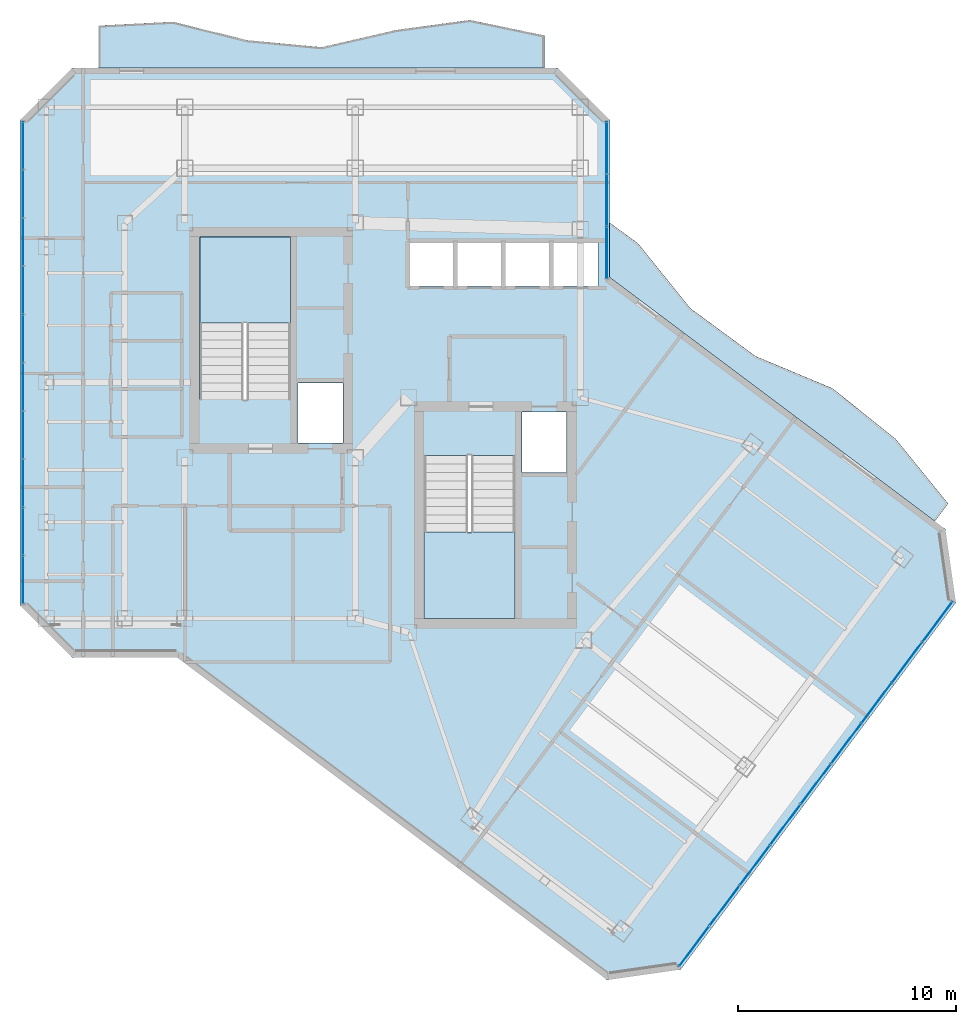
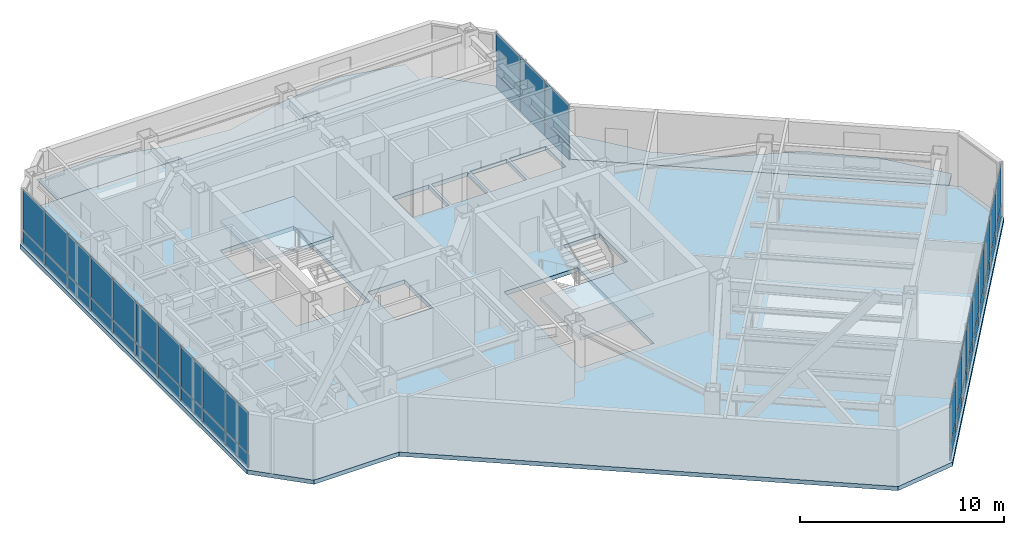
# One storey, part 18 of 24: 44 plates, 5 slabs, 5 elements without a shape of their own.
"""IFC4 building model written with IfcOpenShell, lengths in metres."""

from ifc_helpers import new_model, si_unit, direction, frame, origin, origin_2d, place, context, subcontext, project, spatial, polyline, rectangle, outline, extrude, material, layer, layer_set, type_object, element, aggregate, save


model = new_model("IFC4")

# Units and contexts
model_context = context("Model", 3, precision=1e-05, world=origin(), true_north=direction((0.0, 1.0)))
body_context = subcontext(model_context, "Body", "Model", "MODEL_VIEW")
ifc_project = project(units=[si_unit("LENGTHUNIT", "METRE"), si_unit("AREAUNIT", "SQUARE_METRE"), si_unit("VOLUMEUNIT", "CUBIC_METRE"), si_unit("PLANEANGLEUNIT", "RADIAN"), si_unit("MASSUNIT", "GRAM", prefix="KILO")], contexts=[model_context])

# Site, building, storey
site_placement = place(None, origin())
site = spatial("IfcSite", under=ifc_project, at=site_placement, CompositionType="ELEMENT")
building_placement = place(site_placement, origin())
building = spatial("IfcBuilding", under=site, at=building_placement, Name="Hatsunagi Terrace Concourse", CompositionType="ELEMENT")
storey_placement = place(building_placement, frame((0.0, 0.0, 213.14990234375)))
storey = spatial("IfcBuildingStorey", under=building, at=storey_placement, Name="L56", CompositionType="ELEMENT", Elevation=213.14990234375)

# Curtain wall, plates
ifc_material_1 = material(Name="Anodised Aluminium Alloy 6063-T5", Category="aluminium")
ifc_layer_1 = layer(ifc_material_1, 0.199951171875)
ifc_layer_set_1 = layer_set([ifc_layer_1], Name="OfficeZone2_CW04")
curtain_wall_type = type_object("IfcCurtainWallType", Name="OfficeZone2_CW04", PredefinedType="NOTDEFINED", material=ifc_layer_set_1)
curtain_wall_1_placement = place(storey_placement, origin())
curtain_wall_1 = element("IfcCurtainWall", 1, at=curtain_wall_1_placement, inside=storey, type_object=curtain_wall_type, Name="Unitised Curtain Wall CW-04 CW-L56-03", PredefinedType="NOTDEFINED")
ifc_material_2 = material(Name="Warm Terracotta Ceramic Spandrel Panel", Category="masonry")
ifc_layer_2 = layer(ifc_material_2, 0.031982421875)
ifc_layer_set_2 = layer_set([ifc_layer_2], Name="CurtainWallSpandrelPanel_32")
plate_type_1 = type_object("IfcPlateType", Name="CurtainWallSpandrelPanel_32", PredefinedType="SHEET", material=ifc_layer_set_2)
plate_1_placement = place(storey_placement, frame((59.9970703125, 25.030029296875, 0.030029296875), z_axis=(0.0, 0.0, 1.0), x_axis=(-0.599969314634, -0.800023013105, 0.0)))
plate_1 = element("IfcPlate", 2, at=plate_1_placement, type_object=plate_type_1, Name="Terracotta Spandrel Panel SPN-01", PredefinedType="SHEET", context=body_context, shape_type="SweptSolid", body=[
    extrude(rectangle(XDim=2.264892578125, YDim=0.031982421875, at=origin_2d()), origin(), (0.0, 0.0, 1.0), 0.7900390625),
])
plate_2_placement = place(storey_placement, frame((58.60498046875, 23.173095703125, 0.030029296875), z_axis=(0.0, 0.0, 1.0), x_axis=(-0.599969314634, -0.800023013105, 0.0)))
plate_2 = element("IfcPlate", 3, at=plate_2_placement, type_object=plate_type_1, Name="Terracotta Spandrel Panel SPN-01", PredefinedType="SHEET", context=body_context, shape_type="SweptSolid", body=[
    extrude(rectangle(XDim=2.264892578125, YDim=0.031982421875, at=origin_2d()), origin(), (0.0, 0.0, 1.0), 0.7900390625),
])
plate_3_placement = place(storey_placement, frame((57.2119140625, 21.31689453125, 0.030029296875), z_axis=(0.0, 0.0, 1.0), x_axis=(-0.599969314634, -0.800023013105, 0.0)))
plate_3 = element("IfcPlate", 4, at=plate_3_placement, type_object=plate_type_1, Name="Terracotta Spandrel Panel SPN-01", PredefinedType="SHEET", context=body_context, shape_type="SweptSolid", body=[
    extrude(rectangle(XDim=2.264892578125, YDim=0.031982421875, at=origin_2d()), origin(), (0.0, 0.0, 1.0), 0.7900390625),
])
plate_4_placement = place(storey_placement, frame((55.820068359375, 19.4599609375, 0.030029296875), z_axis=(0.0, 0.0, 1.0), x_axis=(-0.599969314634, -0.800023013105, 0.0)))
plate_4 = element("IfcPlate", 5, at=plate_4_placement, type_object=plate_type_1, Name="Terracotta Spandrel Panel SPN-01", PredefinedType="SHEET", context=body_context, shape_type="SweptSolid", body=[
    extrude(rectangle(XDim=2.264892578125, YDim=0.031982421875, at=origin_2d()), origin(), (0.0, 0.0, 1.0), 0.7900390625),
])
plate_5_placement = place(storey_placement, frame((54.427978515625, 17.60400390625, 0.030029296875), z_axis=(0.0, 0.0, 1.0), x_axis=(-0.599969314634, -0.800023013105, 0.0)))
plate_5 = element("IfcPlate", 6, at=plate_5_placement, type_object=plate_type_1, Name="Terracotta Spandrel Panel SPN-01", PredefinedType="SHEET", context=body_context, shape_type="SweptSolid", body=[
    extrude(rectangle(XDim=2.264892578125, YDim=0.031982421875, at=origin_2d()), origin(), (0.0, 0.0, 1.0), 0.7900390625),
])
plate_6_placement = place(storey_placement, frame((53.035888671875, 15.748046875, 0.030029296875), z_axis=(0.0, 0.0, 1.0), x_axis=(-0.599969314634, -0.800023013105, 0.0)))
plate_6 = element("IfcPlate", 7, at=plate_6_placement, type_object=plate_type_1, Name="Terracotta Spandrel Panel SPN-01", PredefinedType="SHEET", context=body_context, shape_type="SweptSolid", body=[
    extrude(rectangle(XDim=2.264892578125, YDim=0.031982421875, at=origin_2d()), origin(), (0.0, 0.0, 1.0), 0.7900390625),
])
plate_7_placement = place(storey_placement, frame((51.64404296875, 13.89111328125, 0.030029296875), z_axis=(0.0, 0.0, 1.0), x_axis=(-0.599969314634, -0.800023013105, 0.0)))
plate_7 = element("IfcPlate", 8, at=plate_7_placement, type_object=plate_type_1, Name="Terracotta Spandrel Panel SPN-01", PredefinedType="SHEET", context=body_context, shape_type="SweptSolid", body=[
    extrude(rectangle(XDim=2.264892578125, YDim=0.031982421875, at=origin_2d()), origin(), (0.0, 0.0, 1.0), 0.7900390625),
])
plate_8_placement = place(storey_placement, frame((50.2509765625, 12.034912109375, 0.030029296875), z_axis=(0.0, 0.0, 1.0), x_axis=(-0.599969314634, -0.800023013105, 0.0)))
plate_8 = element("IfcPlate", 9, at=plate_8_placement, type_object=plate_type_1, Name="Terracotta Spandrel Panel SPN-01", PredefinedType="SHEET", context=body_context, shape_type="SweptSolid", body=[
    extrude(rectangle(XDim=2.264892578125, YDim=0.031982421875, at=origin_2d()), origin(), (0.0, 0.0, 1.0), 0.7900390625),
])
plate_9_placement = place(storey_placement, frame((48.85888671875, 10.177978515625, 0.030029296875), z_axis=(0.0, 0.0, 1.0), x_axis=(-0.599969314634, -0.800023013105, 0.0)))
plate_9 = element("IfcPlate", 10, at=plate_9_placement, type_object=plate_type_1, Name="Terracotta Spandrel Panel SPN-01", PredefinedType="SHEET", context=body_context, shape_type="SweptSolid", body=[
    extrude(rectangle(XDim=2.264892578125, YDim=0.031982421875, at=origin_2d()), origin(), (0.0, 0.0, 1.0), 0.7900390625),
])

curtain_wall_2_placement = place(storey_placement, origin())
curtain_wall_2 = element("IfcCurtainWall", 11, at=curtain_wall_2_placement, inside=storey, type_object=curtain_wall_type, Name="Unitised Curtain Wall CW-04 CW-L56-08", PredefinedType="NOTDEFINED")
plate_10_placement = place(storey_placement, frame((18.139892578125, 26.9619140625, 0.030029296875), z_axis=(0.0, 0.0, 1.0), x_axis=(0.0, 1.0, 0.0)))
plate_10 = element("IfcPlate", 12, at=plate_10_placement, type_object=plate_type_1, Name="Terracotta Spandrel Panel SPN-01", PredefinedType="SHEET", context=body_context, shape_type="SweptSolid", body=[
    extrude(rectangle(XDim=2.153076171875, YDim=0.031982421875, at=origin_2d()), origin(), (0.0, 0.0, 1.0), 0.7900390625),
])
plate_11_placement = place(storey_placement, frame((18.139892578125, 29.1708984375, 0.030029296875), z_axis=(0.0, 0.0, 1.0), x_axis=(0.0, 1.0, 0.0)))
plate_11 = element("IfcPlate", 13, at=plate_11_placement, type_object=plate_type_1, Name="Terracotta Spandrel Panel SPN-01", PredefinedType="SHEET", context=body_context, shape_type="SweptSolid", body=[
    extrude(rectangle(XDim=2.153076171875, YDim=0.031982421875, at=origin_2d()), origin(), (0.0, 0.0, 1.0), 0.7900390625),
])
plate_12_placement = place(storey_placement, frame((18.139892578125, 31.37890625, 0.030029296875), z_axis=(0.0, 0.0, 1.0), x_axis=(0.0, 1.0, 0.0)))
plate_12 = element("IfcPlate", 14, at=plate_12_placement, type_object=plate_type_1, Name="Terracotta Spandrel Panel SPN-01", PredefinedType="SHEET", context=body_context, shape_type="SweptSolid", body=[
    extrude(rectangle(XDim=2.153076171875, YDim=0.031982421875, at=origin_2d()), origin(), (0.0, 0.0, 1.0), 0.7900390625),
])
plate_13_placement = place(storey_placement, frame((18.139892578125, 33.5869140625, 0.030029296875), z_axis=(0.0, 0.0, 1.0), x_axis=(0.0, 1.0, 0.0)))
plate_13 = element("IfcPlate", 15, at=plate_13_placement, type_object=plate_type_1, Name="Terracotta Spandrel Panel SPN-01", PredefinedType="SHEET", context=body_context, shape_type="SweptSolid", body=[
    extrude(rectangle(XDim=2.153076171875, YDim=0.031982421875, at=origin_2d()), origin(), (0.0, 0.0, 1.0), 0.7900390625),
])
plate_14_placement = place(storey_placement, frame((18.139892578125, 35.7958984375, 0.030029296875), z_axis=(0.0, 0.0, 1.0), x_axis=(0.0, 1.0, 0.0)))
plate_14 = element("IfcPlate", 16, at=plate_14_placement, type_object=plate_type_1, Name="Terracotta Spandrel Panel SPN-01", PredefinedType="SHEET", context=body_context, shape_type="SweptSolid", body=[
    extrude(rectangle(XDim=2.153076171875, YDim=0.031982421875, at=origin_2d()), origin(), (0.0, 0.0, 1.0), 0.7900390625),
])
plate_15_placement = place(storey_placement, frame((18.139892578125, 38.00390625, 0.030029296875), z_axis=(0.0, 0.0, 1.0), x_axis=(0.0, 1.0, 0.0)))
plate_15 = element("IfcPlate", 17, at=plate_15_placement, type_object=plate_type_1, Name="Terracotta Spandrel Panel SPN-01", PredefinedType="SHEET", context=body_context, shape_type="SweptSolid", body=[
    extrude(rectangle(XDim=2.153076171875, YDim=0.031982421875, at=origin_2d()), origin(), (0.0, 0.0, 1.0), 0.7900390625),
])
plate_16_placement = place(storey_placement, frame((18.139892578125, 40.212890625, 0.030029296875), z_axis=(0.0, 0.0, 1.0), x_axis=(0.0, 1.0, 0.0)))
plate_16 = element("IfcPlate", 18, at=plate_16_placement, type_object=plate_type_1, Name="Terracotta Spandrel Panel SPN-01", PredefinedType="SHEET", context=body_context, shape_type="SweptSolid", body=[
    extrude(rectangle(XDim=2.153076171875, YDim=0.031982421875, at=origin_2d()), origin(), (0.0, 0.0, 1.0), 0.7900390625),
])
plate_17_placement = place(storey_placement, frame((18.139892578125, 42.4208984375, 0.030029296875), z_axis=(0.0, 0.0, 1.0), x_axis=(0.0, 1.0, 0.0)))
plate_17 = element("IfcPlate", 19, at=plate_17_placement, type_object=plate_type_1, Name="Terracotta Spandrel Panel SPN-01", PredefinedType="SHEET", context=body_context, shape_type="SweptSolid", body=[
    extrude(rectangle(XDim=2.153076171875, YDim=0.031982421875, at=origin_2d()), origin(), (0.0, 0.0, 1.0), 0.7900390625),
])
plate_18_placement = place(storey_placement, frame((18.139892578125, 44.62890625, 0.030029296875), z_axis=(0.0, 0.0, 1.0), x_axis=(0.0, 1.0, 0.0)))
plate_18 = element("IfcPlate", 20, at=plate_18_placement, type_object=plate_type_1, Name="Terracotta Spandrel Panel SPN-01", PredefinedType="SHEET", context=body_context, shape_type="SweptSolid", body=[
    extrude(rectangle(XDim=2.153076171875, YDim=0.031982421875, at=origin_2d()), origin(), (0.0, 0.0, 1.0), 0.7900390625),
])
plate_19_placement = place(storey_placement, frame((18.139892578125, 46.837890625, 0.030029296875), z_axis=(0.0, 0.0, 1.0), x_axis=(0.0, 1.0, 0.0)))
plate_19 = element("IfcPlate", 21, at=plate_19_placement, type_object=plate_type_1, Name="Terracotta Spandrel Panel SPN-01", PredefinedType="SHEET", context=body_context, shape_type="SweptSolid", body=[
    extrude(rectangle(XDim=2.153076171875, YDim=0.031982421875, at=origin_2d()), origin(), (0.0, 0.0, 1.0), 0.7900390625),
])

curtain_wall_3_placement = place(storey_placement, origin())
curtain_wall_3 = element("IfcCurtainWall", 22, at=curtain_wall_3_placement, inside=storey, type_object=curtain_wall_type, Name="Unitised Curtain Wall CW-04 CW-L56-12", PredefinedType="NOTDEFINED")
plate_20_placement = place(storey_placement, frame((44.860107421875, 46.739990234375, 0.030029296875), z_axis=(0.0, 0.0, 1.0), x_axis=(0.0, -1.0, 0.0)))
plate_20 = element("IfcPlate", 23, at=plate_20_placement, type_object=plate_type_1, Name="Terracotta Spandrel Panel SPN-01", PredefinedType="SHEET", context=body_context, shape_type="SweptSolid", body=[
    extrude(rectangle(XDim=2.34912109375, YDim=0.031982421875, at=origin_2d()), origin(), (0.0, 0.0, 1.0), 0.7900390625),
])
plate_21_placement = place(storey_placement, frame((44.860107421875, 44.3359375, 0.030029296875), z_axis=(0.0, 0.0, 1.0), x_axis=(0.0, -1.0, 0.0)))
plate_21 = element("IfcPlate", 24, at=plate_21_placement, type_object=plate_type_1, Name="Terracotta Spandrel Panel SPN-01", PredefinedType="SHEET", context=body_context, shape_type="SweptSolid", body=[
    extrude(rectangle(XDim=2.34912109375, YDim=0.031982421875, at=origin_2d()), origin(), (0.0, 0.0, 1.0), 0.7900390625),
])
plate_22_placement = place(storey_placement, frame((44.860107421875, 41.931884765625, 0.030029296875), z_axis=(0.0, 0.0, 1.0), x_axis=(0.0, -1.0, 0.0)))
plate_22 = element("IfcPlate", 25, at=plate_22_placement, type_object=plate_type_1, Name="Terracotta Spandrel Panel SPN-01", PredefinedType="SHEET", context=body_context, shape_type="SweptSolid", body=[
    extrude(rectangle(XDim=2.34912109375, YDim=0.031982421875, at=origin_2d()), origin(), (0.0, 0.0, 1.0), 0.7900390625),
])

# Plate
ifc_material_3 = material(Name="Low-E Double Insulating Glass 28mm", Category="glass")
ifc_layer_3 = layer(ifc_material_3, 0.028076171875)
ifc_layer_set_3 = layer_set([ifc_layer_3], Name="CurtainWallVisionGlass_28")
plate_type_2 = type_object("IfcPlateType", Name="CurtainWallVisionGlass_28", PredefinedType="CURTAIN_PANEL", material=ifc_layer_set_3)
plate_23_placement = place(storey_placement, frame((59.9970703125, 25.030029296875, 0.880126953125), z_axis=(0.0, 0.0, 1.0), x_axis=(-0.599969314634, -0.800023013105, 0.0)))
plate_23 = element("IfcPlate", 26, at=plate_23_placement, type_object=plate_type_2, Name="Low-E Vision Glass Panel GLZ-01", PredefinedType="CURTAIN_PANEL", context=body_context, shape_type="SweptSolid", body=[
    extrude(rectangle(XDim=2.264892578125, YDim=0.028076171875, at=origin_2d()), origin(), (0.0, 0.0, 1.0), 2.43994140625),
])

plate_24_placement = place(storey_placement, frame((58.60498046875, 23.173095703125, 0.880126953125), z_axis=(0.0, 0.0, 1.0), x_axis=(-0.599969314634, -0.800023013105, 0.0)))
plate_24 = element("IfcPlate", 27, at=plate_24_placement, type_object=plate_type_2, Name="Low-E Vision Glass Panel GLZ-01", PredefinedType="CURTAIN_PANEL", context=body_context, shape_type="SweptSolid", body=[
    extrude(rectangle(XDim=2.264892578125, YDim=0.028076171875, at=origin_2d()), origin(), (0.0, 0.0, 1.0), 2.43994140625),
])

plate_25_placement = place(storey_placement, frame((57.2119140625, 21.31689453125, 0.880126953125), z_axis=(0.0, 0.0, 1.0), x_axis=(-0.599969314634, -0.800023013105, 0.0)))
plate_25 = element("IfcPlate", 28, at=plate_25_placement, type_object=plate_type_2, Name="Low-E Vision Glass Panel GLZ-01", PredefinedType="CURTAIN_PANEL", context=body_context, shape_type="SweptSolid", body=[
    extrude(rectangle(XDim=2.264892578125, YDim=0.028076171875, at=origin_2d()), origin(), (0.0, 0.0, 1.0), 2.43994140625),
])

plate_26_placement = place(storey_placement, frame((55.820068359375, 19.4599609375, 0.880126953125), z_axis=(0.0, 0.0, 1.0), x_axis=(-0.599969314634, -0.800023013105, 0.0)))
plate_26 = element("IfcPlate", 29, at=plate_26_placement, type_object=plate_type_2, Name="Low-E Vision Glass Panel GLZ-01", PredefinedType="CURTAIN_PANEL", context=body_context, shape_type="SweptSolid", body=[
    extrude(rectangle(XDim=2.264892578125, YDim=0.028076171875, at=origin_2d()), origin(), (0.0, 0.0, 1.0), 2.43994140625),
])

plate_27_placement = place(storey_placement, frame((54.427978515625, 17.60400390625, 0.880126953125), z_axis=(0.0, 0.0, 1.0), x_axis=(-0.599969314634, -0.800023013105, 0.0)))
plate_27 = element("IfcPlate", 30, at=plate_27_placement, type_object=plate_type_2, Name="Low-E Vision Glass Panel GLZ-01", PredefinedType="CURTAIN_PANEL", context=body_context, shape_type="SweptSolid", body=[
    extrude(rectangle(XDim=2.264892578125, YDim=0.028076171875, at=origin_2d()), origin(), (0.0, 0.0, 1.0), 2.43994140625),
])

plate_28_placement = place(storey_placement, frame((53.035888671875, 15.748046875, 0.880126953125), z_axis=(0.0, 0.0, 1.0), x_axis=(-0.599969314634, -0.800023013105, 0.0)))
plate_28 = element("IfcPlate", 31, at=plate_28_placement, type_object=plate_type_2, Name="Low-E Vision Glass Panel GLZ-01", PredefinedType="CURTAIN_PANEL", context=body_context, shape_type="SweptSolid", body=[
    extrude(rectangle(XDim=2.264892578125, YDim=0.028076171875, at=origin_2d()), origin(), (0.0, 0.0, 1.0), 2.43994140625),
])

plate_29_placement = place(storey_placement, frame((51.64404296875, 13.89111328125, 0.880126953125), z_axis=(0.0, 0.0, 1.0), x_axis=(-0.599969314634, -0.800023013105, 0.0)))
plate_29 = element("IfcPlate", 32, at=plate_29_placement, type_object=plate_type_2, Name="Low-E Vision Glass Panel GLZ-01", PredefinedType="CURTAIN_PANEL", context=body_context, shape_type="SweptSolid", body=[
    extrude(rectangle(XDim=2.264892578125, YDim=0.028076171875, at=origin_2d()), origin(), (0.0, 0.0, 1.0), 2.43994140625),
])

plate_30_placement = place(storey_placement, frame((50.2509765625, 12.034912109375, 0.880126953125), z_axis=(0.0, 0.0, 1.0), x_axis=(-0.599969314634, -0.800023013105, 0.0)))
plate_30 = element("IfcPlate", 33, at=plate_30_placement, type_object=plate_type_2, Name="Low-E Vision Glass Panel GLZ-01", PredefinedType="CURTAIN_PANEL", context=body_context, shape_type="SweptSolid", body=[
    extrude(rectangle(XDim=2.264892578125, YDim=0.028076171875, at=origin_2d()), origin(), (0.0, 0.0, 1.0), 2.43994140625),
])

plate_31_placement = place(storey_placement, frame((48.85888671875, 10.177978515625, 0.880126953125), z_axis=(0.0, 0.0, 1.0), x_axis=(-0.599969314634, -0.800023013105, 0.0)))
plate_31 = element("IfcPlate", 34, at=plate_31_placement, type_object=plate_type_2, Name="Low-E Vision Glass Panel GLZ-01", PredefinedType="CURTAIN_PANEL", context=body_context, shape_type="SweptSolid", body=[
    extrude(rectangle(XDim=2.264892578125, YDim=0.028076171875, at=origin_2d()), origin(), (0.0, 0.0, 1.0), 2.43994140625),
])

aggregate(curtain_wall_1, [plate_1, plate_23, plate_2, plate_24, plate_3, plate_25, plate_4, plate_26, plate_5, plate_27, plate_6, plate_28, plate_7, plate_29, plate_8, plate_30, plate_9, plate_31])

plate_32_placement = place(storey_placement, frame((18.139892578125, 26.9619140625, 0.880126953125), z_axis=(0.0, 0.0, 1.0), x_axis=(0.0, 1.0, 0.0)))
plate_32 = element("IfcPlate", 35, at=plate_32_placement, type_object=plate_type_2, Name="Low-E Vision Glass Panel GLZ-01", PredefinedType="CURTAIN_PANEL", context=body_context, shape_type="SweptSolid", body=[
    extrude(rectangle(XDim=2.153076171875, YDim=0.028076171875, at=origin_2d()), origin(), (0.0, 0.0, 1.0), 2.43994140625),
])

plate_33_placement = place(storey_placement, frame((18.139892578125, 29.1708984375, 0.880126953125), z_axis=(0.0, 0.0, 1.0), x_axis=(0.0, 1.0, 0.0)))
plate_33 = element("IfcPlate", 36, at=plate_33_placement, type_object=plate_type_2, Name="Low-E Vision Glass Panel GLZ-01", PredefinedType="CURTAIN_PANEL", context=body_context, shape_type="SweptSolid", body=[
    extrude(rectangle(XDim=2.153076171875, YDim=0.028076171875, at=origin_2d()), origin(), (0.0, 0.0, 1.0), 2.43994140625),
])

plate_34_placement = place(storey_placement, frame((18.139892578125, 31.37890625, 0.880126953125), z_axis=(0.0, 0.0, 1.0), x_axis=(0.0, 1.0, 0.0)))
plate_34 = element("IfcPlate", 37, at=plate_34_placement, type_object=plate_type_2, Name="Low-E Vision Glass Panel GLZ-01", PredefinedType="CURTAIN_PANEL", context=body_context, shape_type="SweptSolid", body=[
    extrude(rectangle(XDim=2.153076171875, YDim=0.028076171875, at=origin_2d()), origin(), (0.0, 0.0, 1.0), 2.43994140625),
])

plate_35_placement = place(storey_placement, frame((18.139892578125, 33.5869140625, 0.880126953125), z_axis=(0.0, 0.0, 1.0), x_axis=(0.0, 1.0, 0.0)))
plate_35 = element("IfcPlate", 38, at=plate_35_placement, type_object=plate_type_2, Name="Low-E Vision Glass Panel GLZ-01", PredefinedType="CURTAIN_PANEL", context=body_context, shape_type="SweptSolid", body=[
    extrude(rectangle(XDim=2.153076171875, YDim=0.028076171875, at=origin_2d()), origin(), (0.0, 0.0, 1.0), 2.43994140625),
])

plate_36_placement = place(storey_placement, frame((18.139892578125, 35.7958984375, 0.880126953125), z_axis=(0.0, 0.0, 1.0), x_axis=(0.0, 1.0, 0.0)))
plate_36 = element("IfcPlate", 39, at=plate_36_placement, type_object=plate_type_2, Name="Low-E Vision Glass Panel GLZ-01", PredefinedType="CURTAIN_PANEL", context=body_context, shape_type="SweptSolid", body=[
    extrude(rectangle(XDim=2.153076171875, YDim=0.028076171875, at=origin_2d()), origin(), (0.0, 0.0, 1.0), 2.43994140625),
])

plate_37_placement = place(storey_placement, frame((18.139892578125, 38.00390625, 0.880126953125), z_axis=(0.0, 0.0, 1.0), x_axis=(0.0, 1.0, 0.0)))
plate_37 = element("IfcPlate", 40, at=plate_37_placement, type_object=plate_type_2, Name="Low-E Vision Glass Panel GLZ-01", PredefinedType="CURTAIN_PANEL", context=body_context, shape_type="SweptSolid", body=[
    extrude(rectangle(XDim=2.153076171875, YDim=0.028076171875, at=origin_2d()), origin(), (0.0, 0.0, 1.0), 2.43994140625),
])

plate_38_placement = place(storey_placement, frame((18.139892578125, 40.212890625, 0.880126953125), z_axis=(0.0, 0.0, 1.0), x_axis=(0.0, 1.0, 0.0)))
plate_38 = element("IfcPlate", 41, at=plate_38_placement, type_object=plate_type_2, Name="Low-E Vision Glass Panel GLZ-01", PredefinedType="CURTAIN_PANEL", context=body_context, shape_type="SweptSolid", body=[
    extrude(rectangle(XDim=2.153076171875, YDim=0.028076171875, at=origin_2d()), origin(), (0.0, 0.0, 1.0), 2.43994140625),
])

plate_39_placement = place(storey_placement, frame((18.139892578125, 42.4208984375, 0.880126953125), z_axis=(0.0, 0.0, 1.0), x_axis=(0.0, 1.0, 0.0)))
plate_39 = element("IfcPlate", 42, at=plate_39_placement, type_object=plate_type_2, Name="Low-E Vision Glass Panel GLZ-01", PredefinedType="CURTAIN_PANEL", context=body_context, shape_type="SweptSolid", body=[
    extrude(rectangle(XDim=2.153076171875, YDim=0.028076171875, at=origin_2d()), origin(), (0.0, 0.0, 1.0), 2.43994140625),
])

plate_40_placement = place(storey_placement, frame((18.139892578125, 44.62890625, 0.880126953125), z_axis=(0.0, 0.0, 1.0), x_axis=(0.0, 1.0, 0.0)))
plate_40 = element("IfcPlate", 43, at=plate_40_placement, type_object=plate_type_2, Name="Low-E Vision Glass Panel GLZ-01", PredefinedType="CURTAIN_PANEL", context=body_context, shape_type="SweptSolid", body=[
    extrude(rectangle(XDim=2.153076171875, YDim=0.028076171875, at=origin_2d()), origin(), (0.0, 0.0, 1.0), 2.43994140625),
])

plate_41_placement = place(storey_placement, frame((18.139892578125, 46.837890625, 0.880126953125), z_axis=(0.0, 0.0, 1.0), x_axis=(0.0, 1.0, 0.0)))
plate_41 = element("IfcPlate", 44, at=plate_41_placement, type_object=plate_type_2, Name="Low-E Vision Glass Panel GLZ-01", PredefinedType="CURTAIN_PANEL", context=body_context, shape_type="SweptSolid", body=[
    extrude(rectangle(XDim=2.153076171875, YDim=0.028076171875, at=origin_2d()), origin(), (0.0, 0.0, 1.0), 2.43994140625),
])

aggregate(curtain_wall_2, [plate_10, plate_32, plate_11, plate_33, plate_12, plate_34, plate_13, plate_35, plate_14, plate_36, plate_15, plate_37, plate_16, plate_38, plate_17, plate_39, plate_18, plate_40, plate_19, plate_41])

plate_42_placement = place(storey_placement, frame((44.860107421875, 46.739990234375, 0.880126953125), z_axis=(0.0, 0.0, 1.0), x_axis=(0.0, -1.0, 0.0)))
plate_42 = element("IfcPlate", 45, at=plate_42_placement, type_object=plate_type_2, Name="Low-E Vision Glass Panel GLZ-01", PredefinedType="CURTAIN_PANEL", context=body_context, shape_type="SweptSolid", body=[
    extrude(rectangle(XDim=2.34912109375, YDim=0.028076171875, at=origin_2d()), origin(), (0.0, 0.0, 1.0), 2.43994140625),
])

plate_43_placement = place(storey_placement, frame((44.860107421875, 44.3359375, 0.880126953125), z_axis=(0.0, 0.0, 1.0), x_axis=(0.0, -1.0, 0.0)))
plate_43 = element("IfcPlate", 46, at=plate_43_placement, type_object=plate_type_2, Name="Low-E Vision Glass Panel GLZ-01", PredefinedType="CURTAIN_PANEL", context=body_context, shape_type="SweptSolid", body=[
    extrude(rectangle(XDim=2.34912109375, YDim=0.028076171875, at=origin_2d()), origin(), (0.0, 0.0, 1.0), 2.43994140625),
])

plate_44_placement = place(storey_placement, frame((44.860107421875, 41.931884765625, 0.880126953125), z_axis=(0.0, 0.0, 1.0), x_axis=(0.0, -1.0, 0.0)))
plate_44 = element("IfcPlate", 47, at=plate_44_placement, type_object=plate_type_2, Name="Low-E Vision Glass Panel GLZ-01", PredefinedType="CURTAIN_PANEL", context=body_context, shape_type="SweptSolid", body=[
    extrude(rectangle(XDim=2.34912109375, YDim=0.028076171875, at=origin_2d()), origin(), (0.0, 0.0, 1.0), 2.43994140625),
])

aggregate(curtain_wall_3, [plate_20, plate_42, plate_21, plate_43, plate_22, plate_44])

# Stair, slab
ifc_material_4 = material(Name="Concrete Fc42", Category="concrete")
stair_type = type_object("IfcStairType", Name="DoglegExitStair_Tower2000_20R_180", PredefinedType="HALF_TURN_STAIR", material=ifc_material_4)
stair_1_placement = place(storey_placement, origin())
stair_1 = element("IfcStair", 48, at=stair_1_placement, inside=storey, type_object=stair_type, Name="L56 Core A Protected Exit Stair ST-A", PredefinedType="HALF_TURN_STAIR")
ifc_material_5 = material(Name="Concrete Fc42", Category="concrete")
ifc_layer_4 = layer(ifc_material_5, 0.199951171875)
ifc_layer_set_4 = layer_set([ifc_layer_4], Name="DoglegStairLanding_Tower2000")
slab_type_1 = type_object("IfcSlabType", Name="DoglegStairLanding_Tower2000", PredefinedType="LANDING", material=ifc_layer_set_4)
slab_1_placement = place(storey_placement, frame((0.0, 0.0, 1.60009765625)))
slab_1 = element("IfcSlab", 49, at=slab_1_placement, type_object=slab_type_1, Name="ST-A landing 1", PredefinedType="LANDING", context=body_context, shape_type="SweptSolid", body=[
    extrude(outline(polyline([(30.3798828125, 38.7099609375), (30.3798828125, 42.659912109375), (26.22998046875, 42.659912109375), (26.22998046875, 38.7099609375), (30.3798828125, 38.7099609375)])), origin(), (0.0, 0.0, 1.0), 0.199951171875),
])
aggregate(stair_1, [slab_1])

stair_2_placement = place(storey_placement, origin())
stair_2 = element("IfcStair", 50, at=stair_2_placement, inside=storey, type_object=stair_type, Name="L56 Core B Protected Exit Stair ST-B", PredefinedType="HALF_TURN_STAIR")
slab_2_placement = place(storey_placement, frame((0.0, 0.0, 1.60009765625)))
slab_2 = element("IfcSlab", 51, at=slab_2_placement, type_object=slab_type_1, Name="ST-B landing 1", PredefinedType="LANDING", context=body_context, shape_type="SweptSolid", body=[
    extrude(outline(polyline([(36.5, 29.14990234375), (36.5, 25.199951171875), (40.64990234375, 25.199951171875), (40.64990234375, 29.14990234375), (36.5, 29.14990234375)])), origin(), (0.0, 0.0, 1.0), 0.199951171875),
])
aggregate(stair_2, [slab_2])

# Slabs
ifc_material_6 = material(Name="Concrete Fc42", Category="concrete")
ifc_layer_5 = layer(ifc_material_6, 0.199951171875)
ifc_layer_set_5 = layer_set([ifc_layer_5], Name="EngawaBalconySlab_Fc42_200")
slab_type_2 = type_object("IfcSlabType", Name="EngawaBalconySlab_Fc42_200", PredefinedType="FLOOR", material=ifc_layer_set_5)
slab_3_placement = place(storey_placement, frame((0.0, 0.0, -0.199951171875)))
element("IfcSlab", 52, at=slab_3_placement, inside=storey, type_object=slab_type_2, Name="Engawa Balcony Slab BAL-L56-BN", PredefinedType="FLOOR", context=body_context, shape_type="SweptSolid", body=[
    extrude(outline(polyline([(21.60009765625, 52.33203125), (21.60009765625, 50.39990234375), (42.0, 50.39990234375), (42.0, 51.882080078125), (38.60009765625, 52.587890625), (35.199951171875, 52.12890625), (31.800048828125, 51.343017578125), (28.39990234375, 51.6650390625), (25.0, 52.507080078125), (21.60009765625, 52.33203125)])), origin(), (0.0, 0.0, 1.0), 0.199951171875),
])
slab_4_placement = place(storey_placement, frame((0.0, 0.0, -0.199951171875)))
element("IfcSlab", 53, at=slab_4_placement, inside=storey, type_object=slab_type_2, Name="Engawa Balcony Slab BAL-L56-BSE", PredefinedType="FLOOR", context=body_context, shape_type="SweptSolid", body=[
    extrude(outline(polyline([(46.29296875, 42.35693359375), (44.99609375, 43.304931640625), (44.99609375, 40.802978515625), (59.8798828125, 29.639892578125), (60.487060546875, 30.448974609375), (58.08203125, 33.408935546875), (55.193115234375, 35.72412109375), (51.672119140625, 37.195068359375), (48.68896484375, 39.385986328125), (46.29296875, 42.35693359375)])), origin(), (0.0, 0.0, 1.0), 0.199951171875),
])
ifc_material_7 = material(Name="Concrete Fc42", Category="concrete")
ifc_layer_6 = layer(ifc_material_7, 0.25)
ifc_layer_set_6 = layer_set([ifc_layer_6], Name="OfficeCrownSlab_Fc42_250")
slab_type_3 = type_object("IfcSlabType", Name="OfficeCrownSlab_Fc42_250", PredefinedType="FLOOR", material=ifc_layer_set_6)
slab_5_placement = place(storey_placement, frame((0.0, 0.0, -0.25)))
element("IfcSlab", 54, at=slab_5_placement, inside=storey, type_object=slab_type_3, Name="Floor Slab SL-250 L56", PredefinedType="FLOOR", context=body_context, shape_type="SweptSolid", body=[
    extrude(outline(polyline([(45.0, 40.800048828125), (45.0, 48.0), (42.60009765625, 50.39990234375), (20.39990234375, 50.39990234375), (18.0, 48.0), (18.0, 25.800048828125), (20.39990234375, 23.39990234375), (25.199951171875, 23.39990234375), (44.8798828125, 8.639892578125), (48.239990234375, 9.1201171875), (60.840087890625, 25.919921875), (60.360107421875, 29.280029296875), (45.0, 40.800048828125)]), holes=[polyline([(26.22998046875, 35.205078125), (30.3798828125, 35.205078125), (30.3798828125, 42.659912109375), (26.22998046875, 42.659912109375), (26.22998046875, 35.205078125)]), polyline([(36.5, 25.199951171875), (40.64990234375, 25.199951171875), (40.64990234375, 32.655029296875), (36.5, 32.655029296875), (36.5, 25.199951171875)]), polyline([(30.719970703125, 33.219970703125), (32.780029296875, 33.219970703125), (32.780029296875, 35.97998046875), (30.719970703125, 35.97998046875), (30.719970703125, 33.219970703125)]), polyline([(40.97998046875, 31.8798828125), (43.02001953125, 31.8798828125), (43.02001953125, 34.639892578125), (40.97998046875, 34.639892578125), (40.97998046875, 31.8798828125)]), polyline([(35.800048828125, 40.39990234375), (37.85009765625, 40.39990234375), (37.85009765625, 42.39990234375), (35.800048828125, 42.39990234375), (35.800048828125, 40.39990234375)]), polyline([(38.0, 40.39990234375), (40.050048828125, 40.39990234375), (40.050048828125, 42.39990234375), (38.0, 42.39990234375), (38.0, 40.39990234375)]), polyline([(40.199951171875, 40.39990234375), (42.25, 40.39990234375), (42.25, 42.39990234375), (40.199951171875, 42.39990234375), (40.199951171875, 40.39990234375)]), polyline([(42.39990234375, 40.39990234375), (44.449951171875, 40.39990234375), (44.449951171875, 42.39990234375), (42.39990234375, 42.39990234375), (42.39990234375, 40.39990234375)])]), origin(), (0.0, 0.0, 1.0), 0.25),
])

save(model, "model.ifc")
